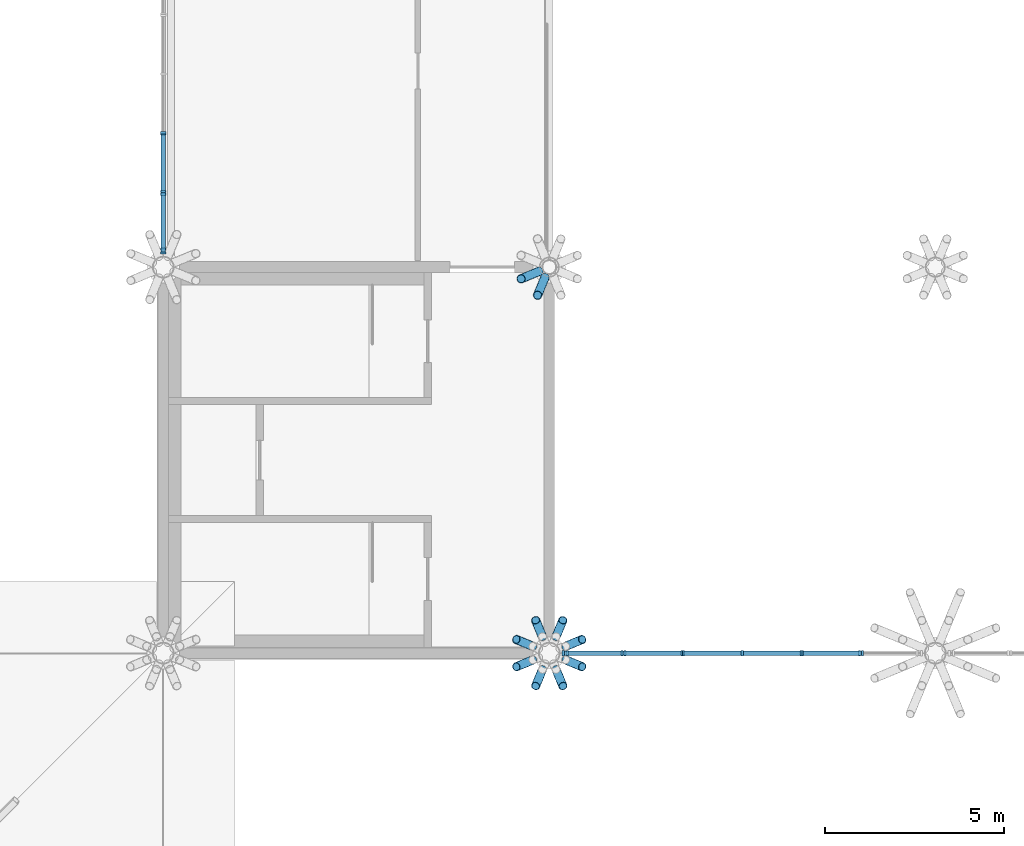
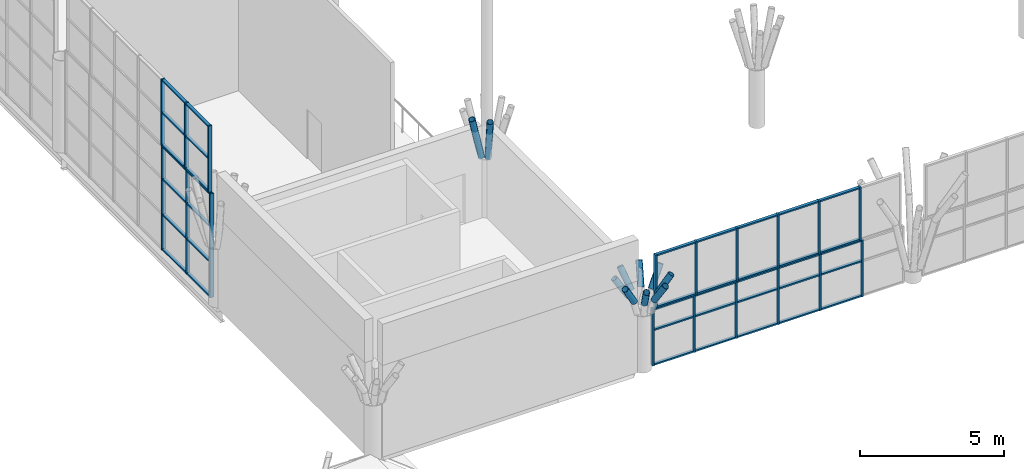
# One storey, part 13 of 95: 67 members, 4 elements without a shape of their own.
"""IFC4 building model written with IfcOpenShell, lengths in metres."""

from ifc_helpers import new_model, si_unit, direction, frame, origin, origin_2d, place, context, subcontext, project, spatial, rectangle, hollow_circle, extrude, material, layer, layer_set, material_profile, profile_set, type_object, element, aggregate, save


model = new_model("IFC4")

# Units and contexts
model_context = context("Model", 3, precision=1e-05, world=origin(), true_north=direction((0.0, 1.0)))
body_context = subcontext(model_context, "Body", "Model", "MODEL_VIEW")
ifc_project = project(units=[si_unit("LENGTHUNIT", "METRE"), si_unit("AREAUNIT", "SQUARE_METRE"), si_unit("VOLUMEUNIT", "CUBIC_METRE"), si_unit("PLANEANGLEUNIT", "RADIAN"), si_unit("MASSUNIT", "GRAM", prefix="KILO")], contexts=[model_context])

# Site, building, storey
site_placement = place(None, origin())
site = spatial("IfcSite", under=ifc_project, at=site_placement, CompositionType="ELEMENT")
building_placement = place(site_placement, origin())
building = spatial("IfcBuilding", under=site, at=building_placement, Name="Magnolia Steps Interchange", CompositionType="ELEMENT")
storey_placement = place(building_placement, frame((0.0, 0.0, 4.800048828125)))
storey = spatial("IfcBuildingStorey", under=building, at=storey_placement, Name="L01", CompositionType="ELEMENT", Elevation=4.800048828125)

# Curtain wall, members
ifc_material_1 = material(Name="Powder-coated aluminium and glass", Category="aluminium")
ifc_layer_1 = layer(ifc_material_1, 0.14990234375)
ifc_layer_set_1 = layer_set([ifc_layer_1], Name="Glazed hall curtain wall")
curtain_wall_type_1 = type_object("IfcCurtainWallType", Name="Glazed hall curtain wall", PredefinedType="NOTDEFINED", material=ifc_layer_set_1)
curtain_wall_1_placement = place(storey_placement, origin())
curtain_wall_1 = element("IfcCurtainWall", 1, at=curtain_wall_1_placement, inside=storey, type_object=curtain_wall_type_1, Name="Hall glazing S2 L01", PredefinedType="NOTDEFINED")
ifc_material_2 = material(Name="White powder-coated aluminium", Category="aluminium")
ifc_material_profile_1 = material_profile(ifc_material_2, rectangle(XDim=0.06005859375, YDim=0.14990234375, at=origin_2d()), Name="Aluminium mullion 60 x 150")
ifc_profile_set_1 = profile_set([ifc_material_profile_1], Name="White powder-coated aluminium")
member_type_1 = type_object("IfcMemberType", Name="Aluminium mullion 60 x 150", PredefinedType="MULLION", material=ifc_profile_set_1)
member_1_placement = place(storey_placement, frame((64.389892578125, 42.39990234375, 0.0), z_axis=(0.0, 0.0, 1.0), x_axis=(1.0, 0.0, 0.0)))
member_1 = element("IfcMember", 2, at=member_1_placement, type_object=member_type_1, Name="CW1 mullion 1", PredefinedType="MULLION", context=body_context, shape_type="SweptSolid", body=[
    extrude(rectangle(XDim=0.06005859375, YDim=0.14990234375, at=origin_2d()), origin(), (0.0, 0.0, 1.0), 2.39990234375),
])
member_2_placement = place(storey_placement, frame((66.0400390625, 42.39990234375, 0.0), z_axis=(0.0, 0.0, 1.0), x_axis=(1.0, 0.0, 0.0)))
member_2 = element("IfcMember", 3, at=member_2_placement, type_object=member_type_1, Name="CW1 mullion 2", PredefinedType="MULLION", context=body_context, shape_type="SweptSolid", body=[
    extrude(rectangle(XDim=0.06005859375, YDim=0.14990234375, at=origin_2d()), origin(), (0.0, 0.0, 1.0), 2.39990234375),
])
member_3_placement = place(storey_placement, frame((67.719970703125, 42.39990234375, 0.0), z_axis=(0.0, 0.0, 1.0), x_axis=(1.0, 0.0, 0.0)))
member_3 = element("IfcMember", 4, at=member_3_placement, type_object=member_type_1, Name="CW1 mullion 3", PredefinedType="MULLION", context=body_context, shape_type="SweptSolid", body=[
    extrude(rectangle(XDim=0.06005859375, YDim=0.14990234375, at=origin_2d()), origin(), (0.0, 0.0, 1.0), 2.39990234375),
])
member_4_placement = place(storey_placement, frame((69.39990234375, 42.39990234375, 0.0), z_axis=(0.0, 0.0, 1.0), x_axis=(1.0, 0.0, 0.0)))
member_4 = element("IfcMember", 5, at=member_4_placement, type_object=member_type_1, Name="CW1 mullion 4", PredefinedType="MULLION", context=body_context, shape_type="SweptSolid", body=[
    extrude(rectangle(XDim=0.06005859375, YDim=0.14990234375, at=origin_2d()), origin(), (0.0, 0.0, 1.0), 2.39990234375),
])
member_5_placement = place(storey_placement, frame((71.080078125, 42.39990234375, 0.0), z_axis=(0.0, 0.0, 1.0), x_axis=(1.0, 0.0, 0.0)))
member_5 = element("IfcMember", 6, at=member_5_placement, type_object=member_type_1, Name="CW1 mullion 5", PredefinedType="MULLION", context=body_context, shape_type="SweptSolid", body=[
    extrude(rectangle(XDim=0.06005859375, YDim=0.14990234375, at=origin_2d()), origin(), (0.0, 0.0, 1.0), 2.39990234375),
])
member_6_placement = place(storey_placement, frame((72.760009765625, 42.39990234375, 0.0), z_axis=(0.0, 0.0, 1.0), x_axis=(1.0, 0.0, 0.0)))
member_6 = element("IfcMember", 7, at=member_6_placement, type_object=member_type_1, Name="CW1 mullion 6", PredefinedType="MULLION", context=body_context, shape_type="SweptSolid", body=[
    extrude(rectangle(XDim=0.06005859375, YDim=0.14990234375, at=origin_2d()), origin(), (0.0, 0.0, 1.0), 2.39990234375),
])

ifc_material_3 = material(Name="Powder-coated aluminium and glass", Category="aluminium")
ifc_layer_2 = layer(ifc_material_3, 0.1201171875)
ifc_layer_set_2 = layer_set([ifc_layer_2], Name="Hall clerestory curtain wall")
curtain_wall_type_2 = type_object("IfcCurtainWallType", Name="Hall clerestory curtain wall", PredefinedType="NOTDEFINED", material=ifc_layer_set_2)
curtain_wall_2_placement = place(storey_placement, origin())
curtain_wall_2 = element("IfcCurtainWall", 8, at=curtain_wall_2_placement, inside=storey, type_object=curtain_wall_type_2, Name="Hall clerestory S2", PredefinedType="NOTDEFINED")
member_7_placement = place(storey_placement, frame((64.510009765625, 42.39990234375, 2.39990234375), z_axis=(0.0, 0.0, 1.0), x_axis=(1.0, 0.0, 0.0)))
member_7 = element("IfcMember", 9, at=member_7_placement, type_object=member_type_1, Name="CW6 mullion 1", PredefinedType="MULLION", context=body_context, shape_type="SweptSolid", body=[
    extrude(rectangle(XDim=0.06005859375, YDim=0.14990234375, at=origin_2d()), origin(), (0.0, 0.0, 1.0), 2.248779296875),
])
member_8_placement = place(storey_placement, frame((66.1201171875, 42.39990234375, 2.39990234375), z_axis=(0.0, 0.0, 1.0), x_axis=(1.0, 0.0, 0.0)))
member_8 = element("IfcMember", 10, at=member_8_placement, type_object=member_type_1, Name="CW6 mullion 2", PredefinedType="MULLION", context=body_context, shape_type="SweptSolid", body=[
    extrude(rectangle(XDim=0.06005859375, YDim=0.14990234375, at=origin_2d()), origin(), (0.0, 0.0, 1.0), 2.248779296875),
])
member_9_placement = place(storey_placement, frame((67.760009765625, 42.39990234375, 2.39990234375), z_axis=(0.0, 0.0, 1.0), x_axis=(1.0, 0.0, 0.0)))
member_9 = element("IfcMember", 11, at=member_9_placement, type_object=member_type_1, Name="CW6 mullion 3", PredefinedType="MULLION", context=body_context, shape_type="SweptSolid", body=[
    extrude(rectangle(XDim=0.06005859375, YDim=0.14990234375, at=origin_2d()), origin(), (0.0, 0.0, 1.0), 2.248779296875),
])
member_10_placement = place(storey_placement, frame((69.39990234375, 42.39990234375, 2.39990234375), z_axis=(0.0, 0.0, 1.0), x_axis=(1.0, 0.0, 0.0)))
member_10 = element("IfcMember", 12, at=member_10_placement, type_object=member_type_1, Name="CW6 mullion 4", PredefinedType="MULLION", context=body_context, shape_type="SweptSolid", body=[
    extrude(rectangle(XDim=0.06005859375, YDim=0.14990234375, at=origin_2d()), origin(), (0.0, 0.0, 1.0), 2.248779296875),
])
member_11_placement = place(storey_placement, frame((71.0400390625, 42.39990234375, 2.39990234375), z_axis=(0.0, 0.0, 1.0), x_axis=(1.0, 0.0, 0.0)))
member_11 = element("IfcMember", 13, at=member_11_placement, type_object=member_type_1, Name="CW6 mullion 5", PredefinedType="MULLION", context=body_context, shape_type="SweptSolid", body=[
    extrude(rectangle(XDim=0.06005859375, YDim=0.14990234375, at=origin_2d()), origin(), (0.0, 0.0, 1.0), 2.248779296875),
])
member_12_placement = place(storey_placement, frame((72.679931640625, 42.39990234375, 2.39990234375), z_axis=(0.0, 0.0, 1.0), x_axis=(1.0, 0.0, 0.0)))
member_12 = element("IfcMember", 14, at=member_12_placement, type_object=member_type_1, Name="CW6 mullion 6", PredefinedType="MULLION", context=body_context, shape_type="SweptSolid", body=[
    extrude(rectangle(XDim=0.06005859375, YDim=0.14990234375, at=origin_2d()), origin(), (0.0, 0.0, 1.0), 2.248779296875),
])

curtain_wall_3_placement = place(storey_placement, origin())
curtain_wall_3 = element("IfcCurtainWall", 15, at=curtain_wall_3_placement, inside=storey, type_object=curtain_wall_type_1, Name="Hall glazing W2 L01", PredefinedType="NOTDEFINED")
member_13_placement = place(storey_placement, frame((53.199951171875, 53.590087890625, 0.0), z_axis=(0.0, 0.0, 1.0), x_axis=(0.0, 1.0, 0.0)))
member_13 = element("IfcMember", 16, at=member_13_placement, type_object=member_type_1, Name="CW1 mullion 1", PredefinedType="MULLION", context=body_context, shape_type="SweptSolid", body=[
    extrude(rectangle(XDim=0.06005859375, YDim=0.14990234375, at=origin_2d()), origin(), (0.0, 0.0, 1.0), 4.39990234375),
])
member_14_placement = place(storey_placement, frame((53.199951171875, 55.239990234375, 0.0), z_axis=(0.0, 0.0, 1.0), x_axis=(0.0, 1.0, 0.0)))
member_14 = element("IfcMember", 17, at=member_14_placement, type_object=member_type_1, Name="CW1 mullion 2", PredefinedType="MULLION", context=body_context, shape_type="SweptSolid", body=[
    extrude(rectangle(XDim=0.06005859375, YDim=0.14990234375, at=origin_2d()), origin(), (0.0, 0.0, 1.0), 4.39990234375),
])
member_15_placement = place(storey_placement, frame((53.199951171875, 56.919921875, 0.0), z_axis=(0.0, 0.0, 1.0), x_axis=(0.0, 1.0, 0.0)))
member_15 = element("IfcMember", 18, at=member_15_placement, type_object=member_type_1, Name="CW1 mullion 3", PredefinedType="MULLION", context=body_context, shape_type="SweptSolid", body=[
    extrude(rectangle(XDim=0.06005859375, YDim=0.14990234375, at=origin_2d()), origin(), (0.0, 0.0, 1.0), 4.39990234375),
])

curtain_wall_4_placement = place(storey_placement, origin())
curtain_wall_4 = element("IfcCurtainWall", 19, at=curtain_wall_4_placement, inside=storey, type_object=curtain_wall_type_2, Name="Hall clerestory W2", PredefinedType="NOTDEFINED")
member_16_placement = place(storey_placement, frame((53.199951171875, 53.7099609375, 4.39990234375), z_axis=(0.0, 0.0, 1.0), x_axis=(0.0, 1.0, 0.0)))
member_16 = element("IfcMember", 20, at=member_16_placement, type_object=member_type_1, Name="CW6 mullion 1", PredefinedType="MULLION", context=body_context, shape_type="SweptSolid", body=[
    extrude(rectangle(XDim=0.06005859375, YDim=0.14990234375, at=origin_2d()), origin(), (0.0, 0.0, 1.0), 2.800048828125),
])
member_17_placement = place(storey_placement, frame((53.199951171875, 55.320068359375, 4.39990234375), z_axis=(0.0, 0.0, 1.0), x_axis=(0.0, 1.0, 0.0)))
member_17 = element("IfcMember", 21, at=member_17_placement, type_object=member_type_1, Name="CW6 mullion 2", PredefinedType="MULLION", context=body_context, shape_type="SweptSolid", body=[
    extrude(rectangle(XDim=0.06005859375, YDim=0.14990234375, at=origin_2d()), origin(), (0.0, 0.0, 1.0), 2.800048828125),
])
member_18_placement = place(storey_placement, frame((53.199951171875, 56.9599609375, 4.39990234375), z_axis=(0.0, 0.0, 1.0), x_axis=(0.0, 1.0, 0.0)))
member_18 = element("IfcMember", 22, at=member_18_placement, type_object=member_type_1, Name="CW6 mullion 3", PredefinedType="MULLION", context=body_context, shape_type="SweptSolid", body=[
    extrude(rectangle(XDim=0.06005859375, YDim=0.14990234375, at=origin_2d()), origin(), (0.0, 0.0, 1.0), 2.800048828125),
])

# Member
ifc_material_4 = material(Name="White powder-coated aluminium", Category="aluminium")
ifc_material_profile_2 = material_profile(ifc_material_4, rectangle(XDim=0.06005859375, YDim=0.1201171875, at=origin_2d()), Name="Aluminium transom 60 x 120")
ifc_profile_set_2 = profile_set([ifc_material_profile_2], Name="White powder-coated aluminium")
member_type_2 = type_object("IfcMemberType", Name="Aluminium transom 60 x 120", PredefinedType="USERDEFINED", material=ifc_profile_set_2)
member_19_placement = place(storey_placement, frame((64.419921875, 42.39990234375, 0.030029296875), z_axis=(1.0, 0.0, 0.0), x_axis=(0.0, 0.0, 1.0)))
member_19 = element("IfcMember", 23, at=member_19_placement, type_object=member_type_2, Name="CW1 transom 1.1", ObjectType="TRANSOM", PredefinedType="USERDEFINED", context=body_context, shape_type="SweptSolid", body=[
    extrude(rectangle(XDim=0.06005859375, YDim=0.1201171875, at=origin_2d()), origin(), (0.0, 0.0, 1.0), 1.590087890625),
])

member_20_placement = place(storey_placement, frame((64.419921875, 42.39990234375, 1.5), z_axis=(1.0, 0.0, 0.0), x_axis=(0.0, 0.0, 1.0)))
member_20 = element("IfcMember", 24, at=member_20_placement, type_object=member_type_2, Name="CW1 transom 1.2", ObjectType="TRANSOM", PredefinedType="USERDEFINED", context=body_context, shape_type="SweptSolid", body=[
    extrude(rectangle(XDim=0.06005859375, YDim=0.1201171875, at=origin_2d()), origin(), (0.0, 0.0, 1.0), 1.590087890625),
])

member_21_placement = place(storey_placement, frame((64.419921875, 42.39990234375, 2.369873046875), z_axis=(1.0, 0.0, 0.0), x_axis=(0.0, 0.0, 1.0)))
member_21 = element("IfcMember", 25, at=member_21_placement, type_object=member_type_2, Name="CW1 transom 1.3", ObjectType="TRANSOM", PredefinedType="USERDEFINED", context=body_context, shape_type="SweptSolid", body=[
    extrude(rectangle(XDim=0.06005859375, YDim=0.1201171875, at=origin_2d()), origin(), (0.0, 0.0, 1.0), 1.590087890625),
])

member_22_placement = place(storey_placement, frame((66.070068359375, 42.39990234375, 0.030029296875), z_axis=(1.0, 0.0, 0.0), x_axis=(0.0, 0.0, 1.0)))
member_22 = element("IfcMember", 26, at=member_22_placement, type_object=member_type_2, Name="CW1 transom 2.1", ObjectType="TRANSOM", PredefinedType="USERDEFINED", context=body_context, shape_type="SweptSolid", body=[
    extrude(rectangle(XDim=0.06005859375, YDim=0.1201171875, at=origin_2d()), origin(), (0.0, 0.0, 1.0), 1.619873046875),
])

member_23_placement = place(storey_placement, frame((66.070068359375, 42.39990234375, 1.5), z_axis=(1.0, 0.0, 0.0), x_axis=(0.0, 0.0, 1.0)))
member_23 = element("IfcMember", 27, at=member_23_placement, type_object=member_type_2, Name="CW1 transom 2.2", ObjectType="TRANSOM", PredefinedType="USERDEFINED", context=body_context, shape_type="SweptSolid", body=[
    extrude(rectangle(XDim=0.06005859375, YDim=0.1201171875, at=origin_2d()), origin(), (0.0, 0.0, 1.0), 1.619873046875),
])

member_24_placement = place(storey_placement, frame((66.070068359375, 42.39990234375, 2.369873046875), z_axis=(1.0, 0.0, 0.0), x_axis=(0.0, 0.0, 1.0)))
member_24 = element("IfcMember", 28, at=member_24_placement, type_object=member_type_2, Name="CW1 transom 2.3", ObjectType="TRANSOM", PredefinedType="USERDEFINED", context=body_context, shape_type="SweptSolid", body=[
    extrude(rectangle(XDim=0.06005859375, YDim=0.1201171875, at=origin_2d()), origin(), (0.0, 0.0, 1.0), 1.619873046875),
])

member_25_placement = place(storey_placement, frame((67.75, 42.39990234375, 0.030029296875), z_axis=(1.0, 0.0, 0.0), x_axis=(0.0, 0.0, 1.0)))
member_25 = element("IfcMember", 29, at=member_25_placement, type_object=member_type_2, Name="CW1 transom 3.1", ObjectType="TRANSOM", PredefinedType="USERDEFINED", context=body_context, shape_type="SweptSolid", body=[
    extrude(rectangle(XDim=0.06005859375, YDim=0.1201171875, at=origin_2d()), origin(), (0.0, 0.0, 1.0), 1.6201171875),
])

member_26_placement = place(storey_placement, frame((67.75, 42.39990234375, 1.5), z_axis=(1.0, 0.0, 0.0), x_axis=(0.0, 0.0, 1.0)))
member_26 = element("IfcMember", 30, at=member_26_placement, type_object=member_type_2, Name="CW1 transom 3.2", ObjectType="TRANSOM", PredefinedType="USERDEFINED", context=body_context, shape_type="SweptSolid", body=[
    extrude(rectangle(XDim=0.06005859375, YDim=0.1201171875, at=origin_2d()), origin(), (0.0, 0.0, 1.0), 1.6201171875),
])

member_27_placement = place(storey_placement, frame((67.75, 42.39990234375, 2.369873046875), z_axis=(1.0, 0.0, 0.0), x_axis=(0.0, 0.0, 1.0)))
member_27 = element("IfcMember", 31, at=member_27_placement, type_object=member_type_2, Name="CW1 transom 3.3", ObjectType="TRANSOM", PredefinedType="USERDEFINED", context=body_context, shape_type="SweptSolid", body=[
    extrude(rectangle(XDim=0.06005859375, YDim=0.1201171875, at=origin_2d()), origin(), (0.0, 0.0, 1.0), 1.6201171875),
])

member_28_placement = place(storey_placement, frame((69.429931640625, 42.39990234375, 0.030029296875), z_axis=(1.0, 0.0, 0.0), x_axis=(0.0, 0.0, 1.0)))
member_28 = element("IfcMember", 32, at=member_28_placement, type_object=member_type_2, Name="CW1 transom 4.1", ObjectType="TRANSOM", PredefinedType="USERDEFINED", context=body_context, shape_type="SweptSolid", body=[
    extrude(rectangle(XDim=0.06005859375, YDim=0.1201171875, at=origin_2d()), origin(), (0.0, 0.0, 1.0), 1.6201171875),
])

member_29_placement = place(storey_placement, frame((69.429931640625, 42.39990234375, 1.5), z_axis=(1.0, 0.0, 0.0), x_axis=(0.0, 0.0, 1.0)))
member_29 = element("IfcMember", 33, at=member_29_placement, type_object=member_type_2, Name="CW1 transom 4.2", ObjectType="TRANSOM", PredefinedType="USERDEFINED", context=body_context, shape_type="SweptSolid", body=[
    extrude(rectangle(XDim=0.06005859375, YDim=0.1201171875, at=origin_2d()), origin(), (0.0, 0.0, 1.0), 1.6201171875),
])

member_30_placement = place(storey_placement, frame((69.429931640625, 42.39990234375, 2.369873046875), z_axis=(1.0, 0.0, 0.0), x_axis=(0.0, 0.0, 1.0)))
member_30 = element("IfcMember", 34, at=member_30_placement, type_object=member_type_2, Name="CW1 transom 4.3", ObjectType="TRANSOM", PredefinedType="USERDEFINED", context=body_context, shape_type="SweptSolid", body=[
    extrude(rectangle(XDim=0.06005859375, YDim=0.1201171875, at=origin_2d()), origin(), (0.0, 0.0, 1.0), 1.6201171875),
])

member_31_placement = place(storey_placement, frame((71.110107421875, 42.39990234375, 0.030029296875), z_axis=(1.0, 0.0, 0.0), x_axis=(0.0, 0.0, 1.0)))
member_31 = element("IfcMember", 35, at=member_31_placement, type_object=member_type_2, Name="CW1 transom 5.1", ObjectType="TRANSOM", PredefinedType="USERDEFINED", context=body_context, shape_type="SweptSolid", body=[
    extrude(rectangle(XDim=0.06005859375, YDim=0.1201171875, at=origin_2d()), origin(), (0.0, 0.0, 1.0), 1.619873046875),
])

member_32_placement = place(storey_placement, frame((71.110107421875, 42.39990234375, 1.5), z_axis=(1.0, 0.0, 0.0), x_axis=(0.0, 0.0, 1.0)))
member_32 = element("IfcMember", 36, at=member_32_placement, type_object=member_type_2, Name="CW1 transom 5.2", ObjectType="TRANSOM", PredefinedType="USERDEFINED", context=body_context, shape_type="SweptSolid", body=[
    extrude(rectangle(XDim=0.06005859375, YDim=0.1201171875, at=origin_2d()), origin(), (0.0, 0.0, 1.0), 1.619873046875),
])

member_33_placement = place(storey_placement, frame((71.110107421875, 42.39990234375, 2.369873046875), z_axis=(1.0, 0.0, 0.0), x_axis=(0.0, 0.0, 1.0)))
member_33 = element("IfcMember", 37, at=member_33_placement, type_object=member_type_2, Name="CW1 transom 5.3", ObjectType="TRANSOM", PredefinedType="USERDEFINED", context=body_context, shape_type="SweptSolid", body=[
    extrude(rectangle(XDim=0.06005859375, YDim=0.1201171875, at=origin_2d()), origin(), (0.0, 0.0, 1.0), 1.619873046875),
])

aggregate(curtain_wall_1, [member_1, member_2, member_3, member_4, member_5, member_6, member_19, member_20, member_21, member_22, member_23, member_24, member_25, member_26, member_27, member_28, member_29, member_30, member_31, member_32, member_33])

member_34_placement = place(storey_placement, frame((64.5400390625, 42.39990234375, 2.429931640625), z_axis=(1.0, 0.0, 0.0), x_axis=(0.0, 0.0, 1.0)))
member_34 = element("IfcMember", 38, at=member_34_placement, type_object=member_type_2, Name="CW6 transom 1.1", ObjectType="TRANSOM", PredefinedType="USERDEFINED", context=body_context, shape_type="SweptSolid", body=[
    extrude(rectangle(XDim=0.06005859375, YDim=0.1201171875, at=origin_2d()), origin(), (0.0, 0.0, 1.0), 1.550048828125),
])

member_35_placement = place(storey_placement, frame((64.5400390625, 42.39990234375, 4.61865234375), z_axis=(1.0, 0.0, 0.0), x_axis=(0.0, 0.0, 1.0)))
member_35 = element("IfcMember", 39, at=member_35_placement, type_object=member_type_2, Name="CW6 transom 1.2", ObjectType="TRANSOM", PredefinedType="USERDEFINED", context=body_context, shape_type="SweptSolid", body=[
    extrude(rectangle(XDim=0.06005859375, YDim=0.1201171875, at=origin_2d()), origin(), (0.0, 0.0, 1.0), 1.550048828125),
])

member_36_placement = place(storey_placement, frame((66.14990234375, 42.39990234375, 2.429931640625), z_axis=(1.0, 0.0, 0.0), x_axis=(0.0, 0.0, 1.0)))
member_36 = element("IfcMember", 40, at=member_36_placement, type_object=member_type_2, Name="CW6 transom 2.1", ObjectType="TRANSOM", PredefinedType="USERDEFINED", context=body_context, shape_type="SweptSolid", body=[
    extrude(rectangle(XDim=0.06005859375, YDim=0.1201171875, at=origin_2d()), origin(), (0.0, 0.0, 1.0), 1.580078125),
])

member_37_placement = place(storey_placement, frame((66.14990234375, 42.39990234375, 4.61865234375), z_axis=(1.0, 0.0, 0.0), x_axis=(0.0, 0.0, 1.0)))
member_37 = element("IfcMember", 41, at=member_37_placement, type_object=member_type_2, Name="CW6 transom 2.2", ObjectType="TRANSOM", PredefinedType="USERDEFINED", context=body_context, shape_type="SweptSolid", body=[
    extrude(rectangle(XDim=0.06005859375, YDim=0.1201171875, at=origin_2d()), origin(), (0.0, 0.0, 1.0), 1.580078125),
])

member_38_placement = place(storey_placement, frame((67.7900390625, 42.39990234375, 2.429931640625), z_axis=(1.0, 0.0, 0.0), x_axis=(0.0, 0.0, 1.0)))
member_38 = element("IfcMember", 42, at=member_38_placement, type_object=member_type_2, Name="CW6 transom 3.1", ObjectType="TRANSOM", PredefinedType="USERDEFINED", context=body_context, shape_type="SweptSolid", body=[
    extrude(rectangle(XDim=0.06005859375, YDim=0.1201171875, at=origin_2d()), origin(), (0.0, 0.0, 1.0), 1.580078125),
])

member_39_placement = place(storey_placement, frame((67.7900390625, 42.39990234375, 4.61865234375), z_axis=(1.0, 0.0, 0.0), x_axis=(0.0, 0.0, 1.0)))
member_39 = element("IfcMember", 43, at=member_39_placement, type_object=member_type_2, Name="CW6 transom 3.2", ObjectType="TRANSOM", PredefinedType="USERDEFINED", context=body_context, shape_type="SweptSolid", body=[
    extrude(rectangle(XDim=0.06005859375, YDim=0.1201171875, at=origin_2d()), origin(), (0.0, 0.0, 1.0), 1.580078125),
])

member_40_placement = place(storey_placement, frame((69.429931640625, 42.39990234375, 2.429931640625), z_axis=(1.0, 0.0, 0.0), x_axis=(0.0, 0.0, 1.0)))
member_40 = element("IfcMember", 44, at=member_40_placement, type_object=member_type_2, Name="CW6 transom 4.1", ObjectType="TRANSOM", PredefinedType="USERDEFINED", context=body_context, shape_type="SweptSolid", body=[
    extrude(rectangle(XDim=0.06005859375, YDim=0.1201171875, at=origin_2d()), origin(), (0.0, 0.0, 1.0), 1.580078125),
])

member_41_placement = place(storey_placement, frame((69.429931640625, 42.39990234375, 4.61865234375), z_axis=(1.0, 0.0, 0.0), x_axis=(0.0, 0.0, 1.0)))
member_41 = element("IfcMember", 45, at=member_41_placement, type_object=member_type_2, Name="CW6 transom 4.2", ObjectType="TRANSOM", PredefinedType="USERDEFINED", context=body_context, shape_type="SweptSolid", body=[
    extrude(rectangle(XDim=0.06005859375, YDim=0.1201171875, at=origin_2d()), origin(), (0.0, 0.0, 1.0), 1.580078125),
])

member_42_placement = place(storey_placement, frame((71.070068359375, 42.39990234375, 2.429931640625), z_axis=(1.0, 0.0, 0.0), x_axis=(0.0, 0.0, 1.0)))
member_42 = element("IfcMember", 46, at=member_42_placement, type_object=member_type_2, Name="CW6 transom 5.1", ObjectType="TRANSOM", PredefinedType="USERDEFINED", context=body_context, shape_type="SweptSolid", body=[
    extrude(rectangle(XDim=0.06005859375, YDim=0.1201171875, at=origin_2d()), origin(), (0.0, 0.0, 1.0), 1.579833984375),
])

member_43_placement = place(storey_placement, frame((71.070068359375, 42.39990234375, 4.61865234375), z_axis=(1.0, 0.0, 0.0), x_axis=(0.0, 0.0, 1.0)))
member_43 = element("IfcMember", 47, at=member_43_placement, type_object=member_type_2, Name="CW6 transom 5.2", ObjectType="TRANSOM", PredefinedType="USERDEFINED", context=body_context, shape_type="SweptSolid", body=[
    extrude(rectangle(XDim=0.06005859375, YDim=0.1201171875, at=origin_2d()), origin(), (0.0, 0.0, 1.0), 1.579833984375),
])

aggregate(curtain_wall_2, [member_7, member_8, member_9, member_10, member_11, member_12, member_34, member_35, member_36, member_37, member_38, member_39, member_40, member_41, member_42, member_43])

member_44_placement = place(storey_placement, frame((53.199951171875, 53.6201171875, 0.030029296875), z_axis=(0.0, 1.0, 0.0), x_axis=(0.0, 0.0, 1.0)))
member_44 = element("IfcMember", 48, at=member_44_placement, type_object=member_type_2, Name="CW1 transom 1.1", ObjectType="TRANSOM", PredefinedType="USERDEFINED", context=body_context, shape_type="SweptSolid", body=[
    extrude(rectangle(XDim=0.06005859375, YDim=0.1201171875, at=origin_2d()), origin(), (0.0, 0.0, 1.0), 1.58984375),
])

member_45_placement = place(storey_placement, frame((53.199951171875, 53.6201171875, 1.5), z_axis=(0.0, 1.0, 0.0), x_axis=(0.0, 0.0, 1.0)))
member_45 = element("IfcMember", 49, at=member_45_placement, type_object=member_type_2, Name="CW1 transom 1.2", ObjectType="TRANSOM", PredefinedType="USERDEFINED", context=body_context, shape_type="SweptSolid", body=[
    extrude(rectangle(XDim=0.06005859375, YDim=0.1201171875, at=origin_2d()), origin(), (0.0, 0.0, 1.0), 1.58984375),
])

member_46_placement = place(storey_placement, frame((53.199951171875, 53.6201171875, 3.0), z_axis=(0.0, 1.0, 0.0), x_axis=(0.0, 0.0, 1.0)))
member_46 = element("IfcMember", 50, at=member_46_placement, type_object=member_type_2, Name="CW1 transom 1.3", ObjectType="TRANSOM", PredefinedType="USERDEFINED", context=body_context, shape_type="SweptSolid", body=[
    extrude(rectangle(XDim=0.06005859375, YDim=0.1201171875, at=origin_2d()), origin(), (0.0, 0.0, 1.0), 1.58984375),
])

member_47_placement = place(storey_placement, frame((53.199951171875, 53.6201171875, 4.369873046875), z_axis=(0.0, 1.0, 0.0), x_axis=(0.0, 0.0, 1.0)))
member_47 = element("IfcMember", 51, at=member_47_placement, type_object=member_type_2, Name="CW1 transom 1.4", ObjectType="TRANSOM", PredefinedType="USERDEFINED", context=body_context, shape_type="SweptSolid", body=[
    extrude(rectangle(XDim=0.06005859375, YDim=0.1201171875, at=origin_2d()), origin(), (0.0, 0.0, 1.0), 1.58984375),
])

member_48_placement = place(storey_placement, frame((53.199951171875, 55.27001953125, 0.030029296875), z_axis=(0.0, 1.0, 0.0), x_axis=(0.0, 0.0, 1.0)))
member_48 = element("IfcMember", 52, at=member_48_placement, type_object=member_type_2, Name="CW1 transom 2.1", ObjectType="TRANSOM", PredefinedType="USERDEFINED", context=body_context, shape_type="SweptSolid", body=[
    extrude(rectangle(XDim=0.06005859375, YDim=0.1201171875, at=origin_2d()), origin(), (0.0, 0.0, 1.0), 1.619873046875),
])

member_49_placement = place(storey_placement, frame((53.199951171875, 55.27001953125, 1.5), z_axis=(0.0, 1.0, 0.0), x_axis=(0.0, 0.0, 1.0)))
member_49 = element("IfcMember", 53, at=member_49_placement, type_object=member_type_2, Name="CW1 transom 2.2", ObjectType="TRANSOM", PredefinedType="USERDEFINED", context=body_context, shape_type="SweptSolid", body=[
    extrude(rectangle(XDim=0.06005859375, YDim=0.1201171875, at=origin_2d()), origin(), (0.0, 0.0, 1.0), 1.619873046875),
])

member_50_placement = place(storey_placement, frame((53.199951171875, 55.27001953125, 3.0), z_axis=(0.0, 1.0, 0.0), x_axis=(0.0, 0.0, 1.0)))
member_50 = element("IfcMember", 54, at=member_50_placement, type_object=member_type_2, Name="CW1 transom 2.3", ObjectType="TRANSOM", PredefinedType="USERDEFINED", context=body_context, shape_type="SweptSolid", body=[
    extrude(rectangle(XDim=0.06005859375, YDim=0.1201171875, at=origin_2d()), origin(), (0.0, 0.0, 1.0), 1.619873046875),
])

member_51_placement = place(storey_placement, frame((53.199951171875, 55.27001953125, 4.369873046875), z_axis=(0.0, 1.0, 0.0), x_axis=(0.0, 0.0, 1.0)))
member_51 = element("IfcMember", 55, at=member_51_placement, type_object=member_type_2, Name="CW1 transom 2.4", ObjectType="TRANSOM", PredefinedType="USERDEFINED", context=body_context, shape_type="SweptSolid", body=[
    extrude(rectangle(XDim=0.06005859375, YDim=0.1201171875, at=origin_2d()), origin(), (0.0, 0.0, 1.0), 1.619873046875),
])

aggregate(curtain_wall_3, [member_13, member_14, member_15, member_44, member_45, member_46, member_47, member_48, member_49, member_50, member_51])

member_52_placement = place(storey_placement, frame((53.199951171875, 53.739990234375, 4.429931640625), z_axis=(0.0, 1.0, 0.0), x_axis=(0.0, 0.0, 1.0)))
member_52 = element("IfcMember", 56, at=member_52_placement, type_object=member_type_2, Name="CW6 transom 1.1", ObjectType="TRANSOM", PredefinedType="USERDEFINED", context=body_context, shape_type="SweptSolid", body=[
    extrude(rectangle(XDim=0.06005859375, YDim=0.1201171875, at=origin_2d()), origin(), (0.0, 0.0, 1.0), 1.550048828125),
])

member_53_placement = place(storey_placement, frame((53.199951171875, 53.739990234375, 5.800048828125), z_axis=(0.0, 1.0, 0.0), x_axis=(0.0, 0.0, 1.0)))
member_53 = element("IfcMember", 57, at=member_53_placement, type_object=member_type_2, Name="CW6 transom 1.2", ObjectType="TRANSOM", PredefinedType="USERDEFINED", context=body_context, shape_type="SweptSolid", body=[
    extrude(rectangle(XDim=0.06005859375, YDim=0.1201171875, at=origin_2d()), origin(), (0.0, 0.0, 1.0), 1.550048828125),
])

member_54_placement = place(storey_placement, frame((53.199951171875, 53.739990234375, 7.169921875), z_axis=(0.0, 1.0, 0.0), x_axis=(0.0, 0.0, 1.0)))
member_54 = element("IfcMember", 58, at=member_54_placement, type_object=member_type_2, Name="CW6 transom 1.3", ObjectType="TRANSOM", PredefinedType="USERDEFINED", context=body_context, shape_type="SweptSolid", body=[
    extrude(rectangle(XDim=0.06005859375, YDim=0.1201171875, at=origin_2d()), origin(), (0.0, 0.0, 1.0), 1.550048828125),
])

member_55_placement = place(storey_placement, frame((53.199951171875, 55.35009765625, 4.429931640625), z_axis=(0.0, 1.0, 0.0), x_axis=(0.0, 0.0, 1.0)))
member_55 = element("IfcMember", 59, at=member_55_placement, type_object=member_type_2, Name="CW6 transom 2.1", ObjectType="TRANSOM", PredefinedType="USERDEFINED", context=body_context, shape_type="SweptSolid", body=[
    extrude(rectangle(XDim=0.06005859375, YDim=0.1201171875, at=origin_2d()), origin(), (0.0, 0.0, 1.0), 1.579833984375),
])

member_56_placement = place(storey_placement, frame((53.199951171875, 55.35009765625, 5.800048828125), z_axis=(0.0, 1.0, 0.0), x_axis=(0.0, 0.0, 1.0)))
member_56 = element("IfcMember", 60, at=member_56_placement, type_object=member_type_2, Name="CW6 transom 2.2", ObjectType="TRANSOM", PredefinedType="USERDEFINED", context=body_context, shape_type="SweptSolid", body=[
    extrude(rectangle(XDim=0.06005859375, YDim=0.1201171875, at=origin_2d()), origin(), (0.0, 0.0, 1.0), 1.579833984375),
])

member_57_placement = place(storey_placement, frame((53.199951171875, 55.35009765625, 7.169921875), z_axis=(0.0, 1.0, 0.0), x_axis=(0.0, 0.0, 1.0)))
member_57 = element("IfcMember", 61, at=member_57_placement, type_object=member_type_2, Name="CW6 transom 2.3", ObjectType="TRANSOM", PredefinedType="USERDEFINED", context=body_context, shape_type="SweptSolid", body=[
    extrude(rectangle(XDim=0.06005859375, YDim=0.1201171875, at=origin_2d()), origin(), (0.0, 0.0, 1.0), 1.579833984375),
])

aggregate(curtain_wall_4, [member_16, member_17, member_18, member_52, member_53, member_54, member_55, member_56, member_57])

# Members
ifc_material_5 = material(Name="Steel Q355B", Category="steel")
ifc_material_profile_3 = material_profile(ifc_material_5, hollow_circle(Radius=0.12255859375, WallThickness=0.011962890625, at=origin_2d()), Name="CHS245x12")
ifc_profile_set_3 = profile_set([ifc_material_profile_3], Name="Steel Q355B")
member_type_3 = type_object("IfcMemberType", Name="Tree rib CHS245x12", PredefinedType="USERDEFINED", material=ifc_profile_set_3)
member_58_placement = place(storey_placement, frame((64.457763671875, 42.589599609375, 3.0966796875), z_axis=(0.489491884821, 0.202752691239, 0.84810909728), x_axis=(-0.382681038186, 0.923880524209, 0.0)))
element("IfcMember", 62, at=member_58_placement, inside=storey, type_object=member_type_3, Name="Tree rib TH02A", ObjectType="TREE RIB", PredefinedType="USERDEFINED", context=body_context, shape_type="SweptSolid", body=[
    extrude(hollow_circle(Radius=0.12255859375, WallThickness=0.011962890625, at=origin_2d()), origin(), (0.0, 0.0, 1.0), 0.94775390625),
])
for number, where, z_axis, x_axis, name in (
    (63, (64.189697265625, 42.857666015625, 3.0966796875), (0.202505635294, 0.489517439006, 0.848153373267), (-0.924052378399, 0.382265878643, 0.0), "Tree rib TH02A"),
    (64, (63.810302734375, 42.857666015625, 3.0966796875), (-0.202505635294, 0.489517439006, 0.848153373267), (-0.924052378399, -0.382265878643, 0.0), "Tree rib TH02A"),
):
    element("IfcMember", number, at=place(storey_placement, frame(where, z_axis=z_axis, x_axis=x_axis)), inside=storey, type_object=member_type_3, Name=name, ObjectType="TREE RIB", PredefinedType="USERDEFINED", context=body_context, shape_type="SweptSolid", body=[
        extrude(hollow_circle(Radius=0.12255859375, WallThickness=0.011962890625, at=origin_2d()), origin(), (0.0, 0.0, 1.0), 0.947509765625),
    ])
for number, where, z_axis, x_axis, name in (
    (65, (63.542236328125, 42.589599609375, 3.0966796875), (-0.489491884821, 0.202752691239, 0.84810909728), (-0.382681038186, -0.923880524209, 0.0), "Tree rib TH02A"),
    (66, (63.542236328125, 42.21044921875, 3.0966796875), (-0.489491884821, -0.202752691239, 0.84810909728), (0.382681038186, -0.923880524209, 0.0), "Tree rib TH02A"),
):
    element("IfcMember", number, at=place(storey_placement, frame(where, z_axis=z_axis, x_axis=x_axis)), inside=storey, type_object=member_type_3, Name=name, ObjectType="TREE RIB", PredefinedType="USERDEFINED", context=body_context, shape_type="SweptSolid", body=[
        extrude(hollow_circle(Radius=0.12255859375, WallThickness=0.011962890625, at=origin_2d()), origin(), (0.0, 0.0, 1.0), 0.94775390625),
    ])
for number, where, z_axis, x_axis, name in (
    (67, (63.810302734375, 41.9423828125, 3.0966796875), (-0.202505635294, -0.489517439006, 0.848153373267), (0.924052378399, -0.382265878643, 0.0), "Tree rib TH02A"),
    (68, (64.189697265625, 41.9423828125, 3.0966796875), (0.202505635294, -0.489517439006, 0.848153373267), (0.924052378399, 0.382265878643, 0.0), "Tree rib TH02A"),
):
    element("IfcMember", number, at=place(storey_placement, frame(where, z_axis=z_axis, x_axis=x_axis)), inside=storey, type_object=member_type_3, Name=name, ObjectType="TREE RIB", PredefinedType="USERDEFINED", context=body_context, shape_type="SweptSolid", body=[
        extrude(hollow_circle(Radius=0.12255859375, WallThickness=0.011962890625, at=origin_2d()), origin(), (0.0, 0.0, 1.0), 0.947509765625),
    ])
member_59_placement = place(storey_placement, frame((64.457763671875, 42.21044921875, 3.0966796875), z_axis=(0.489491884821, -0.202752691239, 0.84810909728), x_axis=(0.382681038186, 0.923880524209, 0.0)))
element("IfcMember", 69, at=member_59_placement, inside=storey, type_object=member_type_3, Name="Tree rib TH02A", ObjectType="TREE RIB", PredefinedType="USERDEFINED", context=body_context, shape_type="SweptSolid", body=[
    extrude(hollow_circle(Radius=0.12255859375, WallThickness=0.011962890625, at=origin_2d()), origin(), (0.0, 0.0, 1.0), 0.94775390625),
])
for number, where, z_axis, x_axis, name in (
    (70, (63.704833984375, 53.07763671875, 2.59423828125), (-0.254645418779, -0.105452865921, 0.961267602577), (0.382606875641, -0.923911239629, 0.0), "Tree rib TH02B"),
    (71, (63.877685546875, 52.90478515625, 2.59423828125), (-0.105452865921, -0.254645418779, 0.961267602577), (0.923911239629, -0.382606875641, 0.0), "Tree rib TH02B"),
):
    element("IfcMember", number, at=place(storey_placement, frame(where, z_axis=z_axis, x_axis=x_axis)), inside=storey, type_object=member_type_3, Name=name, ObjectType="TREE RIB", PredefinedType="USERDEFINED", context=body_context, shape_type="SweptSolid", body=[
        extrude(hollow_circle(Radius=0.12255859375, WallThickness=0.011962890625, at=origin_2d()), origin(), (0.0, 0.0, 1.0), 1.9423828125),
    ])

save(model, "model.ifc")
